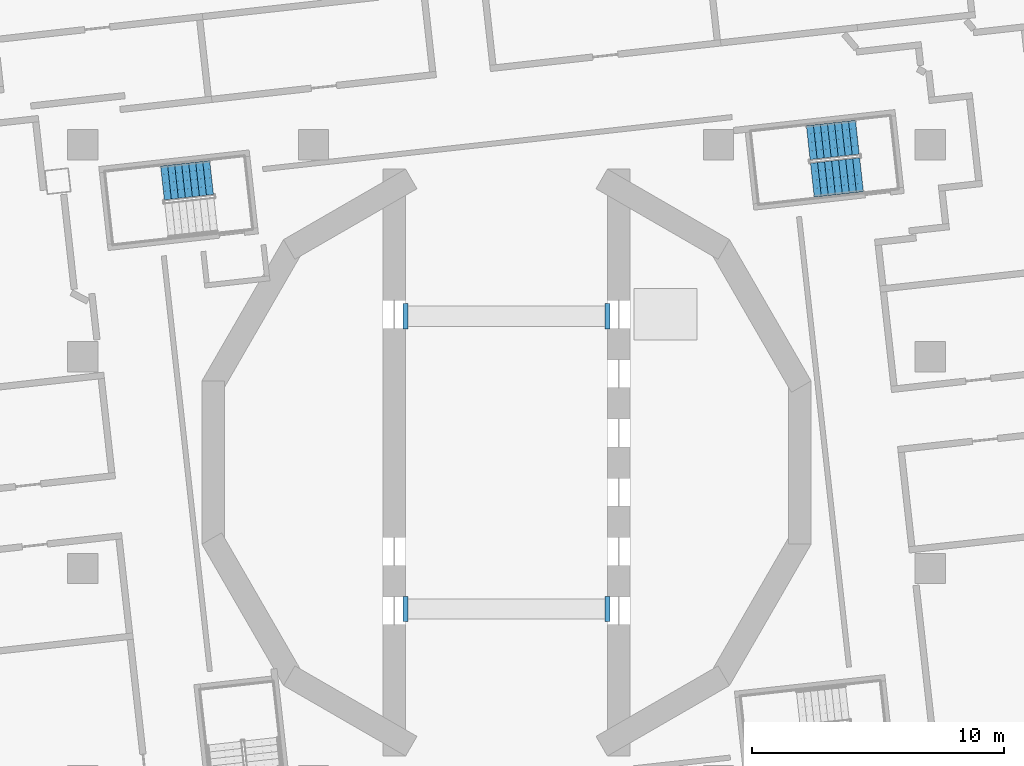
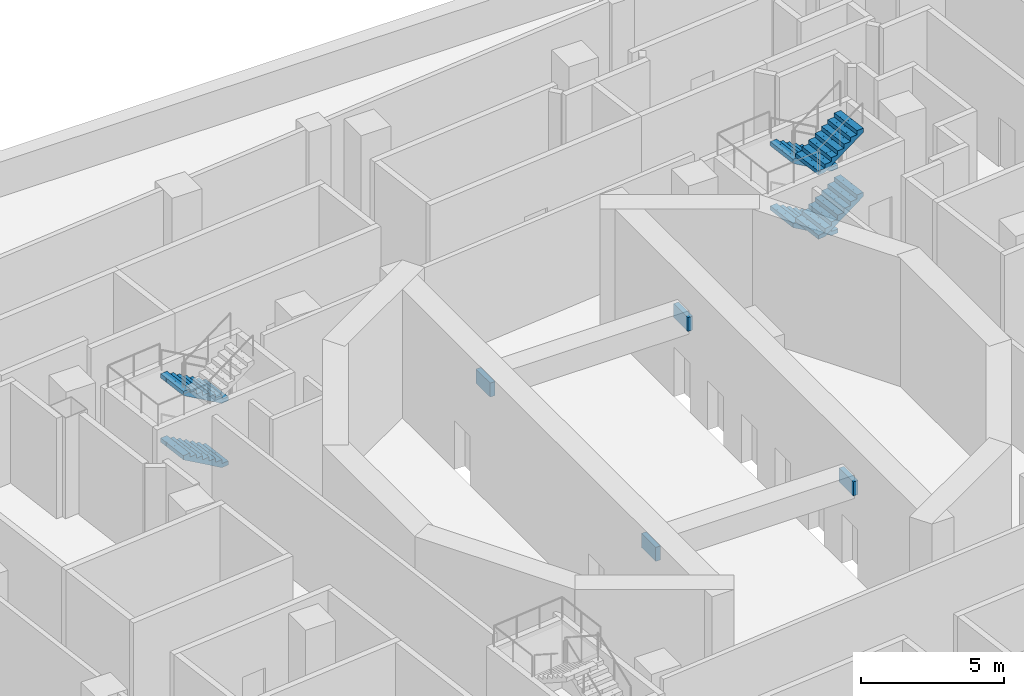
# One storey, part 6 of 12: 6 stair flights, 4 discrete accessories, 2 elements without a shape of their own.
"""IFC4 building model written with IfcOpenShell, lengths in metres."""

from ifc_helpers import new_model, si_unit, direction, frame, origin, place, context, subcontext, project, spatial, polyline, outline, extrude, material, layer, layer_set, type_object, element, aggregate, save


model = new_model("IFC4")

# Units and contexts
model_context = context("Model", 3, precision=1e-05, world=origin(), true_north=direction((0.0, 1.0)))
body_context = subcontext(model_context, "Body", "Model", "MODEL_VIEW")
ifc_project = project(units=[si_unit("LENGTHUNIT", "METRE"), si_unit("AREAUNIT", "SQUARE_METRE"), si_unit("VOLUMEUNIT", "CUBIC_METRE"), si_unit("PLANEANGLEUNIT", "RADIAN"), si_unit("MASSUNIT", "GRAM", prefix="KILO")], contexts=[model_context])

# Site, building, storey
site_placement = place(None, origin())
site = spatial("IfcSite", under=ifc_project, at=site_placement, CompositionType="ELEMENT")
building_placement = place(site_placement, origin())
building = spatial("IfcBuilding", under=site, at=building_placement, Name="Cantera Rosa Tower", CompositionType="ELEMENT")
storey_placement = place(building_placement, frame((0.0, 0.0, 37.0)))
storey = spatial("IfcBuildingStorey", under=building, at=storey_placement, Name="L06", CompositionType="ELEMENT", Elevation=37.0)

# Stair, stair flights
ifc_material_1 = material(Name="Concrete C35/45", Category="concrete")
stair_type = type_object("IfcStairType", Name="EXIT STAIR 1350 DOGLEG", PredefinedType="HALF_TURN_STAIR", material=ifc_material_1)
stair_1_placement = place(storey_placement, origin())
stair_1 = element("IfcStair", 1, at=stair_1_placement, inside=storey, type_object=stair_type, Name="L06 ST-11", PredefinedType="HALF_TURN_STAIR")
ifc_material_2 = material(Name="Concrete C35/45", Category="concrete")
stair_flight_type = type_object("IfcStairFlightType", Name="STAIR FLIGHT 1350 R32x172", PredefinedType="STRAIGHT", material=ifc_material_2)
stair_flight_1_placement = place(storey_placement, frame((13.90869140625, 12.89990234375, 0.0), z_axis=(0.0, 0.0, 1.0), x_axis=(-0.993896947056, -0.110312549749, 0.0)))
stair_flight_1 = element("IfcStairFlight", 2, at=stair_flight_1_placement, type_object=stair_flight_type, Name="ST-11 flight 1", NumberOfRisers=8, NumberOfTreads=7, PredefinedType="STRAIGHT", RiserHeight=0.171875, TreadLength=0.28, context=body_context, shape_type="SweptSolid", body=[
    extrude(outline(polyline([(0.0, 0.0), (0.0, 0.171875), (0.280029296875, 0.171875), (0.280029296875, 0.34375), (0.56005859375, 0.34375), (0.56005859375, 0.515625), (0.840087890625, 0.515625), (0.840087890625, 0.6875), (1.1201171875, 0.6875), (1.1201171875, 0.859375), (1.39990234375, 0.859375), (1.39990234375, 1.03125), (1.679931640625, 1.03125), (1.679931640625, 1.203125), (1.9599609375, 1.203125), (1.9599609375, 1.375), (1.9599609375, 1.02734375), (0.28662109375, 0.0), (0.0, 0.0)])), frame((0.0, 0.675048828125, 0.0), z_axis=(0.0, -1.0, 0.0), x_axis=(1.0, 0.0, 0.0)), (0.0, 0.0, 1.0), 0.3359375),
    extrude(outline(polyline([(0.0, 0.0), (0.0, 0.171875), (0.280029296875, 0.171875), (0.280029296875, 0.34375), (0.56005859375, 0.34375), (0.56005859375, 0.515625), (0.840087890625, 0.515625), (0.840087890625, 0.6875), (1.1201171875, 0.6875), (1.1201171875, 0.859375), (1.39990234375, 0.859375), (1.39990234375, 1.03125), (1.679931640625, 1.03125), (1.679931640625, 1.203125), (1.9599609375, 1.203125), (1.9599609375, 1.375), (1.9599609375, 1.02734375), (0.28662109375, 0.0), (0.0, 0.0)])), frame((0.0, 0.337158203125, 0.0), z_axis=(0.0, -1.0, 0.0), x_axis=(1.0, 0.0, 0.0)), (0.0, 0.0, 1.0), 0.3359375),
    extrude(outline(polyline([(0.0, 0.0), (0.0, 0.171875), (0.280029296875, 0.171875), (0.280029296875, 0.34375), (0.56005859375, 0.34375), (0.56005859375, 0.515625), (0.840087890625, 0.515625), (0.840087890625, 0.6875), (1.1201171875, 0.6875), (1.1201171875, 0.859375), (1.39990234375, 0.859375), (1.39990234375, 1.03125), (1.679931640625, 1.03125), (1.679931640625, 1.203125), (1.9599609375, 1.203125), (1.9599609375, 1.375), (1.9599609375, 1.02734375), (0.28662109375, 0.0), (0.0, 0.0)])), frame((0.0, -0.000732421875, 0.0), z_axis=(0.0, -1.0, 0.0), x_axis=(1.0, 0.0, 0.0)), (0.0, 0.0, 1.0), 0.3359375),
    extrude(outline(polyline([(0.0, 0.0), (0.0, 0.171875), (0.280029296875, 0.171875), (0.280029296875, 0.34375), (0.56005859375, 0.34375), (0.56005859375, 0.515625), (0.840087890625, 0.515625), (0.840087890625, 0.6875), (1.1201171875, 0.6875), (1.1201171875, 0.859375), (1.39990234375, 0.859375), (1.39990234375, 1.03125), (1.679931640625, 1.03125), (1.679931640625, 1.203125), (1.9599609375, 1.203125), (1.9599609375, 1.375), (1.9599609375, 1.02734375), (0.28662109375, 0.0), (0.0, 0.0)])), frame((0.0, -0.338623046875, 0.0), z_axis=(0.0, -1.0, 0.0), x_axis=(1.0, 0.0, 0.0)), (0.0, 0.0, 1.0), 0.3359375),
])
stair_flight_2_placement = place(storey_placement, frame((12.126220703125, 11.19287109375, 1.375), z_axis=(0.0, 0.0, 1.0), x_axis=(0.993896947056, 0.110312549749, 0.0)))
stair_flight_2 = element("IfcStairFlight", 3, at=stair_flight_2_placement, type_object=stair_flight_type, Name="ST-11 flight 2", NumberOfRisers=8, NumberOfTreads=7, PredefinedType="STRAIGHT", RiserHeight=0.171875, TreadLength=0.28, context=body_context, shape_type="SweptSolid", body=[
    extrude(outline(polyline([(0.0, 0.0), (0.0, 0.171875), (0.280029296875, 0.171875), (0.280029296875, 0.34375), (0.56005859375, 0.34375), (0.56005859375, 0.515625), (0.840087890625, 0.515625), (0.840087890625, 0.6875), (1.1201171875, 0.6875), (1.1201171875, 0.859375), (1.39990234375, 0.859375), (1.39990234375, 1.03125), (1.679931640625, 1.03125), (1.679931640625, 1.203125), (1.9599609375, 1.203125), (1.9599609375, 1.375), (1.9599609375, 1.02734375), (0.28662109375, 0.0), (0.0, 0.0)])), frame((0.0, 0.675048828125, 0.0), z_axis=(0.0, -1.0, 0.0), x_axis=(1.0, 0.0, 0.0)), (0.0, 0.0, 1.0), 0.3359375),
    extrude(outline(polyline([(0.0, 0.0), (0.0, 0.171875), (0.280029296875, 0.171875), (0.280029296875, 0.34375), (0.56005859375, 0.34375), (0.56005859375, 0.515625), (0.840087890625, 0.515625), (0.840087890625, 0.6875), (1.1201171875, 0.6875), (1.1201171875, 0.859375), (1.39990234375, 0.859375), (1.39990234375, 1.03125), (1.679931640625, 1.03125), (1.679931640625, 1.203125), (1.9599609375, 1.203125), (1.9599609375, 1.375), (1.9599609375, 1.02734375), (0.28662109375, 0.0), (0.0, 0.0)])), frame((0.0, 0.337158203125, 0.0), z_axis=(0.0, -1.0, 0.0), x_axis=(1.0, 0.0, 0.0)), (0.0, 0.0, 1.0), 0.3359375),
    extrude(outline(polyline([(0.0, 0.0), (0.0, 0.171875), (0.280029296875, 0.171875), (0.280029296875, 0.34375), (0.56005859375, 0.34375), (0.56005859375, 0.515625), (0.840087890625, 0.515625), (0.840087890625, 0.6875), (1.1201171875, 0.6875), (1.1201171875, 0.859375), (1.39990234375, 0.859375), (1.39990234375, 1.03125), (1.679931640625, 1.03125), (1.679931640625, 1.203125), (1.9599609375, 1.203125), (1.9599609375, 1.375), (1.9599609375, 1.02734375), (0.28662109375, 0.0), (0.0, 0.0)])), frame((0.0, -0.000732421875, 0.0), z_axis=(0.0, -1.0, 0.0), x_axis=(1.0, 0.0, 0.0)), (0.0, 0.0, 1.0), 0.3359375),
    extrude(outline(polyline([(0.0, 0.0), (0.0, 0.171875), (0.280029296875, 0.171875), (0.280029296875, 0.34375), (0.56005859375, 0.34375), (0.56005859375, 0.515625), (0.840087890625, 0.515625), (0.840087890625, 0.6875), (1.1201171875, 0.6875), (1.1201171875, 0.859375), (1.39990234375, 0.859375), (1.39990234375, 1.03125), (1.679931640625, 1.03125), (1.679931640625, 1.203125), (1.9599609375, 1.203125), (1.9599609375, 1.375), (1.9599609375, 1.02734375), (0.28662109375, 0.0), (0.0, 0.0)])), frame((0.0, -0.338623046875, 0.0), z_axis=(0.0, -1.0, 0.0), x_axis=(1.0, 0.0, 0.0)), (0.0, 0.0, 1.0), 0.3359375),
])
stair_flight_3_placement = place(storey_placement, frame((13.90869140625, 12.89990234375, 2.75), z_axis=(0.0, 0.0, 1.0), x_axis=(-0.993896947056, -0.110312549749, 0.0)))
stair_flight_3 = element("IfcStairFlight", 4, at=stair_flight_3_placement, type_object=stair_flight_type, Name="ST-11 flight 3", NumberOfRisers=8, NumberOfTreads=7, PredefinedType="STRAIGHT", RiserHeight=0.171875, TreadLength=0.28, context=body_context, shape_type="SweptSolid", body=[
    extrude(outline(polyline([(0.0, 0.0), (0.0, 0.171875), (0.280029296875, 0.171875), (0.280029296875, 0.34375), (0.56005859375, 0.34375), (0.56005859375, 0.515625), (0.840087890625, 0.515625), (0.840087890625, 0.6875), (1.1201171875, 0.6875), (1.1201171875, 0.859375), (1.39990234375, 0.859375), (1.39990234375, 1.03125), (1.679931640625, 1.03125), (1.679931640625, 1.203125), (1.9599609375, 1.203125), (1.9599609375, 1.375), (1.9599609375, 1.02734375), (0.28662109375, 0.0), (0.0, 0.0)])), frame((0.0, 0.675048828125, 0.0), z_axis=(0.0, -1.0, 0.0), x_axis=(1.0, 0.0, 0.0)), (0.0, 0.0, 1.0), 0.3359375),
    extrude(outline(polyline([(0.0, 0.0), (0.0, 0.171875), (0.280029296875, 0.171875), (0.280029296875, 0.34375), (0.56005859375, 0.34375), (0.56005859375, 0.515625), (0.840087890625, 0.515625), (0.840087890625, 0.6875), (1.1201171875, 0.6875), (1.1201171875, 0.859375), (1.39990234375, 0.859375), (1.39990234375, 1.03125), (1.679931640625, 1.03125), (1.679931640625, 1.203125), (1.9599609375, 1.203125), (1.9599609375, 1.375), (1.9599609375, 1.02734375), (0.28662109375, 0.0), (0.0, 0.0)])), frame((0.0, 0.337158203125, 0.0), z_axis=(0.0, -1.0, 0.0), x_axis=(1.0, 0.0, 0.0)), (0.0, 0.0, 1.0), 0.3359375),
    extrude(outline(polyline([(0.0, 0.0), (0.0, 0.171875), (0.280029296875, 0.171875), (0.280029296875, 0.34375), (0.56005859375, 0.34375), (0.56005859375, 0.515625), (0.840087890625, 0.515625), (0.840087890625, 0.6875), (1.1201171875, 0.6875), (1.1201171875, 0.859375), (1.39990234375, 0.859375), (1.39990234375, 1.03125), (1.679931640625, 1.03125), (1.679931640625, 1.203125), (1.9599609375, 1.203125), (1.9599609375, 1.375), (1.9599609375, 1.02734375), (0.28662109375, 0.0), (0.0, 0.0)])), frame((0.0, -0.000732421875, 0.0), z_axis=(0.0, -1.0, 0.0), x_axis=(1.0, 0.0, 0.0)), (0.0, 0.0, 1.0), 0.3359375),
    extrude(outline(polyline([(0.0, 0.0), (0.0, 0.171875), (0.280029296875, 0.171875), (0.280029296875, 0.34375), (0.56005859375, 0.34375), (0.56005859375, 0.515625), (0.840087890625, 0.515625), (0.840087890625, 0.6875), (1.1201171875, 0.6875), (1.1201171875, 0.859375), (1.39990234375, 0.859375), (1.39990234375, 1.03125), (1.679931640625, 1.03125), (1.679931640625, 1.203125), (1.9599609375, 1.203125), (1.9599609375, 1.375), (1.9599609375, 1.02734375), (0.28662109375, 0.0), (0.0, 0.0)])), frame((0.0, -0.338623046875, 0.0), z_axis=(0.0, -1.0, 0.0), x_axis=(1.0, 0.0, 0.0)), (0.0, 0.0, 1.0), 0.3359375),
])
stair_flight_4_placement = place(storey_placement, frame((12.126220703125, 11.19287109375, 4.125), z_axis=(0.0, 0.0, 1.0), x_axis=(0.993896947056, 0.110312549749, 0.0)))
stair_flight_4 = element("IfcStairFlight", 5, at=stair_flight_4_placement, type_object=stair_flight_type, Name="ST-11 flight 4", NumberOfRisers=8, NumberOfTreads=7, PredefinedType="STRAIGHT", RiserHeight=0.171875, TreadLength=0.28, context=body_context, shape_type="SweptSolid", body=[
    extrude(outline(polyline([(0.0, 0.0), (0.0, 0.171875), (0.280029296875, 0.171875), (0.280029296875, 0.34375), (0.56005859375, 0.34375), (0.56005859375, 0.515625), (0.840087890625, 0.515625), (0.840087890625, 0.6875), (1.1201171875, 0.6875), (1.1201171875, 0.859375), (1.39990234375, 0.859375), (1.39990234375, 1.03125), (1.679931640625, 1.03125), (1.679931640625, 1.203125), (1.9599609375, 1.203125), (1.9599609375, 1.375), (1.9599609375, 1.02734375), (0.28662109375, 0.0), (0.0, 0.0)])), frame((0.0, 0.675048828125, 0.0), z_axis=(0.0, -1.0, 0.0), x_axis=(1.0, 0.0, 0.0)), (0.0, 0.0, 1.0), 0.3359375),
    extrude(outline(polyline([(0.0, 0.0), (0.0, 0.171875), (0.280029296875, 0.171875), (0.280029296875, 0.34375), (0.56005859375, 0.34375), (0.56005859375, 0.515625), (0.840087890625, 0.515625), (0.840087890625, 0.6875), (1.1201171875, 0.6875), (1.1201171875, 0.859375), (1.39990234375, 0.859375), (1.39990234375, 1.03125), (1.679931640625, 1.03125), (1.679931640625, 1.203125), (1.9599609375, 1.203125), (1.9599609375, 1.375), (1.9599609375, 1.02734375), (0.28662109375, 0.0), (0.0, 0.0)])), frame((0.0, 0.337158203125, 0.0), z_axis=(0.0, -1.0, 0.0), x_axis=(1.0, 0.0, 0.0)), (0.0, 0.0, 1.0), 0.3359375),
    extrude(outline(polyline([(0.0, 0.0), (0.0, 0.171875), (0.280029296875, 0.171875), (0.280029296875, 0.34375), (0.56005859375, 0.34375), (0.56005859375, 0.515625), (0.840087890625, 0.515625), (0.840087890625, 0.6875), (1.1201171875, 0.6875), (1.1201171875, 0.859375), (1.39990234375, 0.859375), (1.39990234375, 1.03125), (1.679931640625, 1.03125), (1.679931640625, 1.203125), (1.9599609375, 1.203125), (1.9599609375, 1.375), (1.9599609375, 1.02734375), (0.28662109375, 0.0), (0.0, 0.0)])), frame((0.0, -0.000732421875, 0.0), z_axis=(0.0, -1.0, 0.0), x_axis=(1.0, 0.0, 0.0)), (0.0, 0.0, 1.0), 0.3359375),
    extrude(outline(polyline([(0.0, 0.0), (0.0, 0.171875), (0.280029296875, 0.171875), (0.280029296875, 0.34375), (0.56005859375, 0.34375), (0.56005859375, 0.515625), (0.840087890625, 0.515625), (0.840087890625, 0.6875), (1.1201171875, 0.6875), (1.1201171875, 0.859375), (1.39990234375, 0.859375), (1.39990234375, 1.03125), (1.679931640625, 1.03125), (1.679931640625, 1.203125), (1.9599609375, 1.203125), (1.9599609375, 1.375), (1.9599609375, 1.02734375), (0.28662109375, 0.0), (0.0, 0.0)])), frame((0.0, -0.338623046875, 0.0), z_axis=(0.0, -1.0, 0.0), x_axis=(1.0, 0.0, 0.0)), (0.0, 0.0, 1.0), 0.3359375),
])
aggregate(stair_1, [stair_flight_1, stair_flight_2, stair_flight_3, stair_flight_4])

stair_2_placement = place(storey_placement, origin())
stair_2 = element("IfcStair", 6, at=stair_2_placement, inside=storey, type_object=stair_type, Name="L06 ST-12", PredefinedType="HALF_TURN_STAIR")
stair_flight_5_placement = place(storey_placement, frame((-11.691162109375, 11.2998046875, 0.0), z_axis=(0.0, 0.0, 1.0), x_axis=(-0.993896947056, -0.110312549749, 0.0)))
stair_flight_5 = element("IfcStairFlight", 7, at=stair_flight_5_placement, type_object=stair_flight_type, Name="ST-12 flight 1", NumberOfRisers=8, NumberOfTreads=7, PredefinedType="STRAIGHT", RiserHeight=0.171875, TreadLength=0.28, context=body_context, shape_type="SweptSolid", body=[
    extrude(outline(polyline([(0.0, 0.0), (0.0, 0.171875), (0.280029296875, 0.171875), (0.280029296875, 0.34375), (0.56005859375, 0.34375), (0.56005859375, 0.515625), (0.840087890625, 0.515625), (0.840087890625, 0.6875), (1.1201171875, 0.6875), (1.1201171875, 0.859375), (1.39990234375, 0.859375), (1.39990234375, 1.03125), (1.679931640625, 1.03125), (1.679931640625, 1.203125), (1.9599609375, 1.203125), (1.9599609375, 1.375), (1.9599609375, 1.02734375), (0.28662109375, 0.0), (0.0, 0.0)])), frame((0.0, 0.675048828125, 0.0), z_axis=(0.0, -1.0, 0.0), x_axis=(1.0, 0.0, 0.0)), (0.0, 0.0, 1.0), 0.3359375),
    extrude(outline(polyline([(0.0, 0.0), (0.0, 0.171875), (0.280029296875, 0.171875), (0.280029296875, 0.34375), (0.56005859375, 0.34375), (0.56005859375, 0.515625), (0.840087890625, 0.515625), (0.840087890625, 0.6875), (1.1201171875, 0.6875), (1.1201171875, 0.859375), (1.39990234375, 0.859375), (1.39990234375, 1.03125), (1.679931640625, 1.03125), (1.679931640625, 1.203125), (1.9599609375, 1.203125), (1.9599609375, 1.375), (1.9599609375, 1.02734375), (0.28662109375, 0.0), (0.0, 0.0)])), frame((0.0, 0.337158203125, 0.0), z_axis=(0.0, -1.0, 0.0), x_axis=(1.0, 0.0, 0.0)), (0.0, 0.0, 1.0), 0.3359375),
    extrude(outline(polyline([(0.0, 0.0), (0.0, 0.171875), (0.280029296875, 0.171875), (0.280029296875, 0.34375), (0.56005859375, 0.34375), (0.56005859375, 0.515625), (0.840087890625, 0.515625), (0.840087890625, 0.6875), (1.1201171875, 0.6875), (1.1201171875, 0.859375), (1.39990234375, 0.859375), (1.39990234375, 1.03125), (1.679931640625, 1.03125), (1.679931640625, 1.203125), (1.9599609375, 1.203125), (1.9599609375, 1.375), (1.9599609375, 1.02734375), (0.28662109375, 0.0), (0.0, 0.0)])), frame((0.0, -0.000732421875, 0.0), z_axis=(0.0, -1.0, 0.0), x_axis=(1.0, 0.0, 0.0)), (0.0, 0.0, 1.0), 0.3359375),
    extrude(outline(polyline([(0.0, 0.0), (0.0, 0.171875), (0.280029296875, 0.171875), (0.280029296875, 0.34375), (0.56005859375, 0.34375), (0.56005859375, 0.515625), (0.840087890625, 0.515625), (0.840087890625, 0.6875), (1.1201171875, 0.6875), (1.1201171875, 0.859375), (1.39990234375, 0.859375), (1.39990234375, 1.03125), (1.679931640625, 1.03125), (1.679931640625, 1.203125), (1.9599609375, 1.203125), (1.9599609375, 1.375), (1.9599609375, 1.02734375), (0.28662109375, 0.0), (0.0, 0.0)])), frame((0.0, -0.338623046875, 0.0), z_axis=(0.0, -1.0, 0.0), x_axis=(1.0, 0.0, 0.0)), (0.0, 0.0, 1.0), 0.3359375),
])
stair_flight_6_placement = place(storey_placement, frame((-11.691162109375, 11.2998046875, 2.75), z_axis=(0.0, 0.0, 1.0), x_axis=(-0.993896947056, -0.110312549749, 0.0)))
stair_flight_6 = element("IfcStairFlight", 8, at=stair_flight_6_placement, type_object=stair_flight_type, Name="ST-12 flight 3", NumberOfRisers=8, NumberOfTreads=7, PredefinedType="STRAIGHT", RiserHeight=0.171875, TreadLength=0.28, context=body_context, shape_type="SweptSolid", body=[
    extrude(outline(polyline([(0.0, 0.0), (0.0, 0.171875), (0.280029296875, 0.171875), (0.280029296875, 0.34375), (0.56005859375, 0.34375), (0.56005859375, 0.515625), (0.840087890625, 0.515625), (0.840087890625, 0.6875), (1.1201171875, 0.6875), (1.1201171875, 0.859375), (1.39990234375, 0.859375), (1.39990234375, 1.03125), (1.679931640625, 1.03125), (1.679931640625, 1.203125), (1.9599609375, 1.203125), (1.9599609375, 1.375), (1.9599609375, 1.02734375), (0.28662109375, 0.0), (0.0, 0.0)])), frame((0.0, 0.675048828125, 0.0), z_axis=(0.0, -1.0, 0.0), x_axis=(1.0, 0.0, 0.0)), (0.0, 0.0, 1.0), 0.3359375),
    extrude(outline(polyline([(0.0, 0.0), (0.0, 0.171875), (0.280029296875, 0.171875), (0.280029296875, 0.34375), (0.56005859375, 0.34375), (0.56005859375, 0.515625), (0.840087890625, 0.515625), (0.840087890625, 0.6875), (1.1201171875, 0.6875), (1.1201171875, 0.859375), (1.39990234375, 0.859375), (1.39990234375, 1.03125), (1.679931640625, 1.03125), (1.679931640625, 1.203125), (1.9599609375, 1.203125), (1.9599609375, 1.375), (1.9599609375, 1.02734375), (0.28662109375, 0.0), (0.0, 0.0)])), frame((0.0, 0.337158203125, 0.0), z_axis=(0.0, -1.0, 0.0), x_axis=(1.0, 0.0, 0.0)), (0.0, 0.0, 1.0), 0.3359375),
    extrude(outline(polyline([(0.0, 0.0), (0.0, 0.171875), (0.280029296875, 0.171875), (0.280029296875, 0.34375), (0.56005859375, 0.34375), (0.56005859375, 0.515625), (0.840087890625, 0.515625), (0.840087890625, 0.6875), (1.1201171875, 0.6875), (1.1201171875, 0.859375), (1.39990234375, 0.859375), (1.39990234375, 1.03125), (1.679931640625, 1.03125), (1.679931640625, 1.203125), (1.9599609375, 1.203125), (1.9599609375, 1.375), (1.9599609375, 1.02734375), (0.28662109375, 0.0), (0.0, 0.0)])), frame((0.0, -0.000732421875, 0.0), z_axis=(0.0, -1.0, 0.0), x_axis=(1.0, 0.0, 0.0)), (0.0, 0.0, 1.0), 0.3359375),
    extrude(outline(polyline([(0.0, 0.0), (0.0, 0.171875), (0.280029296875, 0.171875), (0.280029296875, 0.34375), (0.56005859375, 0.34375), (0.56005859375, 0.515625), (0.840087890625, 0.515625), (0.840087890625, 0.6875), (1.1201171875, 0.6875), (1.1201171875, 0.859375), (1.39990234375, 0.859375), (1.39990234375, 1.03125), (1.679931640625, 1.03125), (1.679931640625, 1.203125), (1.9599609375, 1.203125), (1.9599609375, 1.375), (1.9599609375, 1.02734375), (0.28662109375, 0.0), (0.0, 0.0)])), frame((0.0, -0.338623046875, 0.0), z_axis=(0.0, -1.0, 0.0), x_axis=(1.0, 0.0, 0.0)), (0.0, 0.0, 1.0), 0.3359375),
])
aggregate(stair_2, [stair_flight_5, stair_flight_6])

# Discrete accessories
ifc_material_3 = material(Name="Steel ASTM A992 (Fy 345 MPa)", Category="steel")
ifc_layer = layer(ifc_material_3, 0.0400390625)
ifc_layer_set = layer_set([ifc_layer], Name="STEEL BEARING PLATE 40")
discrete_accessory_type = type_object("IfcDiscreteAccessoryType", Name="STEEL BEARING PLATE 40", PredefinedType="ANCHORPLATE", material=ifc_layer_set)
discrete_accessory_1_placement = place(storey_placement, frame((0.0, 0.0, 3.5)))
element("IfcDiscreteAccessory", 9, at=discrete_accessory_1_placement, inside=storey, type_object=discrete_accessory_type, Name="BEARING PLATE CPL-L06-1 end 1", PredefinedType="ANCHORPLATE", context=body_context, shape_type="SweptSolid", body=[
    extrude(outline(polyline([(-3.89990234375, -5.300048828125), (-4.10009765625, -5.300048828125), (-4.10009765625, -6.300048828125), (-3.89990234375, -6.300048828125), (-3.89990234375, -5.300048828125)])), origin(), (0.0, 0.0, 1.0), 0.60009765625),
])
discrete_accessory_2_placement = place(storey_placement, frame((0.0, 0.0, 3.5)))
element("IfcDiscreteAccessory", 10, at=discrete_accessory_2_placement, inside=storey, type_object=discrete_accessory_type, Name="BEARING PLATE CPL-L06-1 end 2", PredefinedType="ANCHORPLATE", context=body_context, shape_type="SweptSolid", body=[
    extrude(outline(polyline([(3.89990234375, -6.300048828125), (4.10009765625, -6.300048828125), (4.10009765625, -5.300048828125), (3.89990234375, -5.300048828125), (3.89990234375, -6.300048828125)])), origin(), (0.0, 0.0, 1.0), 0.60009765625),
])
discrete_accessory_3_placement = place(storey_placement, frame((0.0, 0.0, 3.5)))
element("IfcDiscreteAccessory", 11, at=discrete_accessory_3_placement, inside=storey, type_object=discrete_accessory_type, Name="BEARING PLATE CPL-L06-2 end 1", PredefinedType="ANCHORPLATE", context=body_context, shape_type="SweptSolid", body=[
    extrude(outline(polyline([(-3.89990234375, 6.300048828125), (-4.10009765625, 6.300048828125), (-4.10009765625, 5.300048828125), (-3.89990234375, 5.300048828125), (-3.89990234375, 6.300048828125)])), origin(), (0.0, 0.0, 1.0), 0.60009765625),
])
discrete_accessory_4_placement = place(storey_placement, frame((0.0, 0.0, 3.5)))
element("IfcDiscreteAccessory", 12, at=discrete_accessory_4_placement, inside=storey, type_object=discrete_accessory_type, Name="BEARING PLATE CPL-L06-2 end 2", PredefinedType="ANCHORPLATE", context=body_context, shape_type="SweptSolid", body=[
    extrude(outline(polyline([(3.89990234375, 5.300048828125), (4.10009765625, 5.300048828125), (4.10009765625, 6.300048828125), (3.89990234375, 6.300048828125), (3.89990234375, 5.300048828125)])), origin(), (0.0, 0.0, 1.0), 0.60009765625),
])

save(model, "model.ifc")
